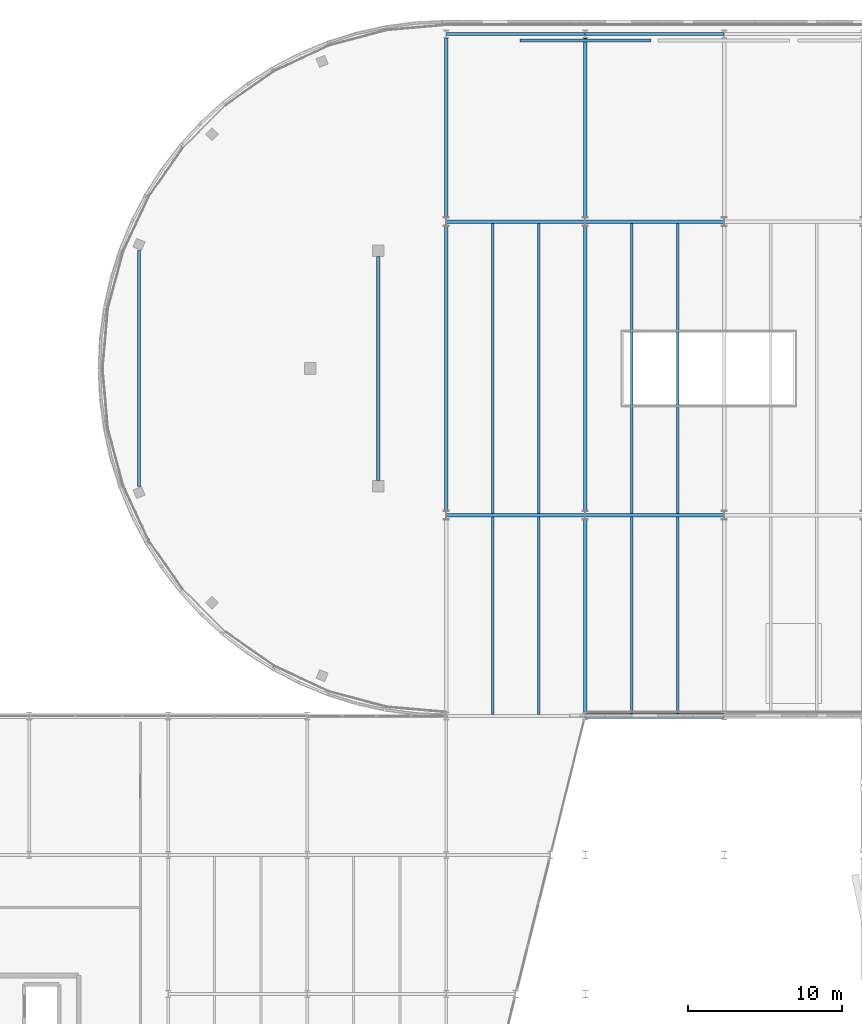
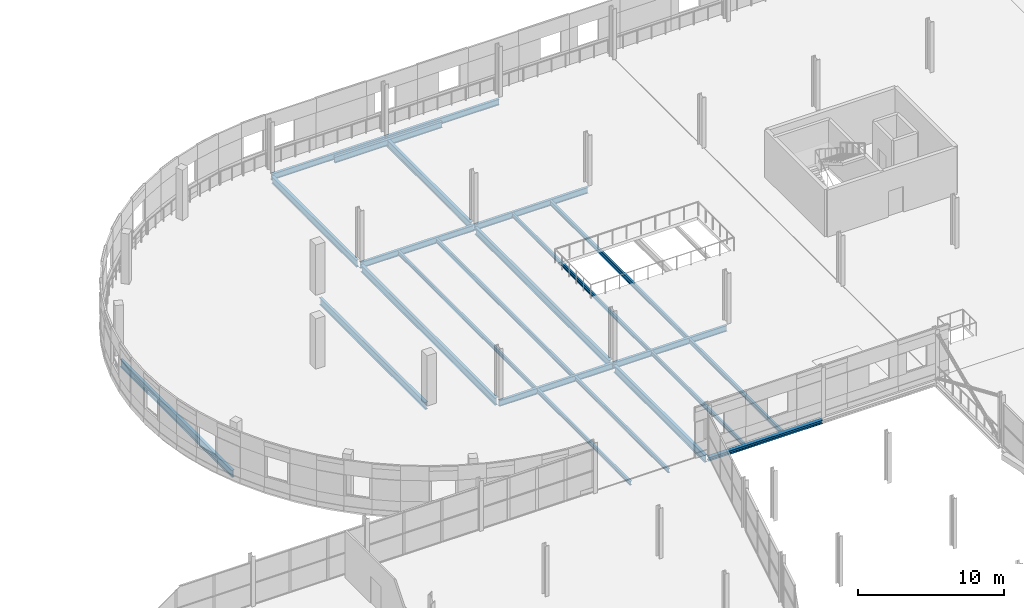
# One storey, part 74 of 132: 23 beams.
"""IFC4 building model written with IfcOpenShell, lengths in metres."""

from ifc_helpers import new_model, si_unit, direction, frame, origin, origin_2d, place, context, subcontext, project, spatial, i_section, extrude, material, material_profile, profile_set, type_object, element, save


model = new_model("IFC4")

# Units and contexts
model_context = context("Model", 3, precision=1e-05, world=origin(), true_north=direction((0.0, 1.0)))
body_context = subcontext(model_context, "Body", "Model", "MODEL_VIEW")
ifc_project = project(units=[si_unit("LENGTHUNIT", "METRE"), si_unit("AREAUNIT", "SQUARE_METRE"), si_unit("VOLUMEUNIT", "CUBIC_METRE"), si_unit("PLANEANGLEUNIT", "RADIAN"), si_unit("MASSUNIT", "GRAM", prefix="KILO")], contexts=[model_context])

# Site, building, storey
site_placement = place(None, origin())
site = spatial("IfcSite", under=ifc_project, at=site_placement, CompositionType="ELEMENT")
building_placement = place(site_placement, origin())
building = spatial("IfcBuilding", under=site, at=building_placement, Name="Deido Ridge Mobility Hub", CompositionType="ELEMENT")
storey_placement = place(building_placement, frame((0.0, 0.0, 8.39990234375)))
storey = spatial("IfcBuildingStorey", under=building, at=storey_placement, Name="L02", CompositionType="ELEMENT", Elevation=8.39990234375)

# Beams
ifc_material = material(Name="Steel S355J2 EN 10025-2", Category="steel")
ifc_material_profile_1 = material_profile(ifc_material, i_section(OverallWidth=0.199951171875, OverallDepth=0.5, WebThickness=0.01025390625, FlangeThickness=0.01611328125, FilletRadius=0.02099609375, at=origin_2d()), Name="IPE 500")
ifc_profile_set_1 = profile_set([ifc_material_profile_1], Name="Steel S355J2 EN 10025-2")
beam_type_1 = type_object("IfcBeamType", Name="BM-IPE500", PredefinedType="BEAM", material=ifc_profile_set_1)
for number, where, z_axis, x_axis, name in (
    (1, (45.0078125, 94.0, -0.5048828125), (1.0, 0.0, 0.0), (0.0, 1.0, 0.0), "Floor beam B3"),
    (2, (54.0078125, 94.0, -0.5048828125), (1.0, 0.0, 0.0), (0.0, 1.0, 0.0), "Floor beam B3"),
    (3, (45.0078125, 113.0, -0.5048828125), (1.0, 0.0, 0.0), (0.0, 1.0, 0.0), "Floor beam B3"),
    (4, (54.0078125, 113.0, -0.5048828125), (1.0, 0.0, 0.0), (0.0, 1.0, 0.0), "Floor beam B3"),
):
    element("IfcBeam", number, at=place(storey_placement, frame(where, z_axis=z_axis, x_axis=x_axis)), inside=storey, type_object=beam_type_1, Name=name, PredefinedType="BEAM", context=body_context, shape_type="SweptSolid", body=[
        extrude(i_section(OverallWidth=0.199951171875, OverallDepth=0.5, WebThickness=0.01025390625, FlangeThickness=0.01611328125, FilletRadius=0.02099609375, at=origin_2d()), origin(), (0.0, 0.0, 1.0), 8.984375),
    ])
for number, where, z_axis, x_axis, name in (
    (5, (45.007080078125, 125.14990234375, -0.5048828125), (1.0, 0.0, 0.0), (0.0, 1.0, 0.0), "Floor beam B3"),
    (6, (54.007080078125, 125.14990234375, -0.5048828125), (1.0, 0.0, 0.0), (0.0, 1.0, 0.0), "Floor beam B3"),
):
    element("IfcBeam", number, at=place(storey_placement, frame(where, z_axis=z_axis, x_axis=x_axis)), inside=storey, type_object=beam_type_1, Name=name, PredefinedType="BEAM", context=body_context, shape_type="SweptSolid", body=[
        extrude(i_section(OverallWidth=0.199951171875, OverallDepth=0.5, WebThickness=0.01025390625, FlangeThickness=0.01611328125, FilletRadius=0.02099609375, at=origin_2d()), origin(), (0.0, 0.0, 1.0), 8.98583984375),
    ])
beam_1_placement = place(storey_placement, frame((49.77490234375, 124.75, -0.5048828125), z_axis=(1.0, 0.0, 0.0), x_axis=(0.0, 1.0, 0.0)))
element("IfcBeam", 7, at=beam_1_placement, inside=storey, type_object=beam_type_1, Name="Floor beam B3", PredefinedType="BEAM", context=body_context, shape_type="SweptSolid", body=[
    extrude(i_section(OverallWidth=0.199951171875, OverallDepth=0.5, WebThickness=0.01025390625, FlangeThickness=0.01611328125, FilletRadius=0.02099609375, at=origin_2d()), origin(), (0.0, 0.0, 1.0), 8.5),
])
ifc_material_profile_2 = material_profile(ifc_material, i_section(OverallWidth=0.219970703125, OverallDepth=0.60009765625, WebThickness=0.011962890625, FlangeThickness=0.01904296875, FilletRadius=0.02392578125, at=origin_2d()), Name="IPE 600")
ifc_profile_set_2 = profile_set([ifc_material_profile_2], Name="Steel S355J2 EN 10025-2")
beam_type_2 = type_object("IfcBeamType", Name="BM-IPE600", PredefinedType="BEAM", material=ifc_profile_set_2)
beam_2_placement = place(storey_placement, frame((25.110107421875, 95.8505859375, -0.554931640625), z_axis=(0.0, 1.0, 0.0), x_axis=(-1.0, 0.0, 0.0)))
element("IfcBeam", 8, at=beam_2_placement, inside=storey, type_object=beam_type_2, Name="Floor beam B1", PredefinedType="BEAM", context=body_context, shape_type="SweptSolid", body=[
    extrude(i_section(OverallWidth=0.219970703125, OverallDepth=0.60009765625, WebThickness=0.011962890625, FlangeThickness=0.01904296875, FilletRadius=0.02392578125, at=origin_2d()), origin(), (0.0, 0.0, 1.0), 15.298828125),
])
beam_3_placement = place(storey_placement, frame((40.60009765625, 96.2548828125, -0.554931640625), z_axis=(0.0, 1.0, 0.0), x_axis=(-1.0, 0.0, 0.0)))
element("IfcBeam", 9, at=beam_3_placement, inside=storey, type_object=beam_type_2, Name="Floor beam B1", PredefinedType="BEAM", context=body_context, shape_type="SweptSolid", body=[
    extrude(i_section(OverallWidth=0.219970703125, OverallDepth=0.60009765625, WebThickness=0.011962890625, FlangeThickness=0.01904296875, FilletRadius=0.02392578125, at=origin_2d()), origin(), (0.0, 0.0, 1.0), 14.490234375),
])
beam_4_placement = place(storey_placement, frame((45.0, 94.300048828125, -0.554931640625), z_axis=(0.0, 1.0, 0.0), x_axis=(-1.0, 0.0, 0.0)))
element("IfcBeam", 10, at=beam_4_placement, inside=storey, type_object=beam_type_2, Name="Floor beam B1", PredefinedType="BEAM", context=body_context, shape_type="SweptSolid", body=[
    extrude(i_section(OverallWidth=0.219970703125, OverallDepth=0.60009765625, WebThickness=0.011962890625, FlangeThickness=0.01904296875, FilletRadius=0.02392578125, at=origin_2d()), origin(), (0.0, 0.0, 1.0), 18.39990234375),
])
beam_5_placement = place(storey_placement, frame((45.0, 113.300048828125, -0.554931640625), z_axis=(0.0, 1.0, 0.0), x_axis=(-1.0, 0.0, 0.0)))
element("IfcBeam", 11, at=beam_5_placement, inside=storey, type_object=beam_type_2, Name="Floor beam B1", PredefinedType="BEAM", context=body_context, shape_type="SweptSolid", body=[
    extrude(i_section(OverallWidth=0.219970703125, OverallDepth=0.60009765625, WebThickness=0.011962890625, FlangeThickness=0.01904296875, FilletRadius=0.02392578125, at=origin_2d()), origin(), (0.0, 0.0, 1.0), 11.599853515625),
])
beam_6_placement = place(storey_placement, frame((54.0, 81.25, -0.554931640625), z_axis=(0.0, 1.0, 0.0), x_axis=(-1.0, 0.0, 0.0)))
element("IfcBeam", 12, at=beam_6_placement, inside=storey, type_object=beam_type_2, Name="Floor beam B1", PredefinedType="BEAM", context=body_context, shape_type="SweptSolid", body=[
    extrude(i_section(OverallWidth=0.219970703125, OverallDepth=0.60009765625, WebThickness=0.011962890625, FlangeThickness=0.01904296875, FilletRadius=0.02392578125, at=origin_2d()), origin(), (0.0, 0.0, 1.0), 12.449951171875),
])
beam_7_placement = place(storey_placement, frame((54.0, 94.300048828125, -0.554931640625), z_axis=(0.0, 1.0, 0.0), x_axis=(-1.0, 0.0, 0.0)))
element("IfcBeam", 13, at=beam_7_placement, inside=storey, type_object=beam_type_2, Name="Floor beam B1", PredefinedType="BEAM", context=body_context, shape_type="SweptSolid", body=[
    extrude(i_section(OverallWidth=0.219970703125, OverallDepth=0.60009765625, WebThickness=0.011962890625, FlangeThickness=0.01904296875, FilletRadius=0.02392578125, at=origin_2d()), origin(), (0.0, 0.0, 1.0), 18.39990234375),
])
beam_8_placement = place(storey_placement, frame((54.0, 113.300048828125, -0.554931640625), z_axis=(0.0, 1.0, 0.0), x_axis=(-1.0, 0.0, 0.0)))
element("IfcBeam", 14, at=beam_8_placement, inside=storey, type_object=beam_type_2, Name="Floor beam B1", PredefinedType="BEAM", context=body_context, shape_type="SweptSolid", body=[
    extrude(i_section(OverallWidth=0.219970703125, OverallDepth=0.60009765625, WebThickness=0.011962890625, FlangeThickness=0.01904296875, FilletRadius=0.02392578125, at=origin_2d()), origin(), (0.0, 0.0, 1.0), 11.599853515625),
])
ifc_material_profile_3 = material_profile(ifc_material, i_section(OverallWidth=0.159912109375, OverallDepth=0.330078125, WebThickness=0.007568359375, FlangeThickness=0.011474609375, FilletRadius=0.01806640625, at=origin_2d()), Name="IPE 330")
ifc_profile_set_3 = profile_set([ifc_material_profile_3], Name="Steel S355J2 EN 10025-2")
beam_type_3 = type_object("IfcBeamType", Name="JST-IPE330", PredefinedType="JOIST", material=ifc_profile_set_3)
beam_9_placement = place(storey_placement, frame((48.0, 81.10009765625, -0.419921875), z_axis=(0.0, 1.0, 0.0), x_axis=(-1.0, 0.0, 0.0)))
element("IfcBeam", 15, at=beam_9_placement, inside=storey, type_object=beam_type_3, Name="Composite joist J2", PredefinedType="JOIST", context=body_context, shape_type="SweptSolid", body=[
    extrude(i_section(OverallWidth=0.159912109375, OverallDepth=0.330078125, WebThickness=0.007568359375, FlangeThickness=0.011474609375, FilletRadius=0.01806640625, at=origin_2d()), origin(), (0.0, 0.0, 1.0), 12.7998046875),
])
beam_10_placement = place(storey_placement, frame((57.0, 81.14990234375, -0.419921875), z_axis=(0.0, 1.0, 0.0), x_axis=(-1.0, 0.0, 0.0)))
element("IfcBeam", 16, at=beam_10_placement, inside=storey, type_object=beam_type_3, Name="Composite joist J2", PredefinedType="JOIST", context=body_context, shape_type="SweptSolid", body=[
    extrude(i_section(OverallWidth=0.159912109375, OverallDepth=0.330078125, WebThickness=0.007568359375, FlangeThickness=0.011474609375, FilletRadius=0.01806640625, at=origin_2d()), origin(), (0.0, 0.0, 1.0), 12.75),
])
for number, where, z_axis, x_axis, name in (
    (17, (48.0, 94.10009765625, -0.419921875), (0.0, 1.0, 0.0), (-1.0, 0.0, 0.0), "Composite joist J2"),
    (18, (57.0, 94.10009765625, -0.419921875), (0.0, 1.0, 0.0), (-1.0, 0.0, 0.0), "Composite joist J2"),
):
    element("IfcBeam", number, at=place(storey_placement, frame(where, z_axis=z_axis, x_axis=x_axis)), inside=storey, type_object=beam_type_3, Name=name, PredefinedType="JOIST", context=body_context, shape_type="SweptSolid", body=[
        extrude(i_section(OverallWidth=0.159912109375, OverallDepth=0.330078125, WebThickness=0.007568359375, FlangeThickness=0.011474609375, FilletRadius=0.01806640625, at=origin_2d()), origin(), (0.0, 0.0, 1.0), 18.7998046875),
    ])
ifc_material_profile_4 = material_profile(ifc_material, i_section(OverallWidth=0.169921875, OverallDepth=0.360107421875, WebThickness=0.008056640625, FlangeThickness=0.0126953125, FilletRadius=0.01806640625, at=origin_2d()), Name="IPE 360")
ifc_profile_set_4 = profile_set([ifc_material_profile_4], Name="Steel S355J2 EN 10025-2")
beam_type_4 = type_object("IfcBeamType", Name="JST-IPE360", PredefinedType="JOIST", material=ifc_profile_set_4)
beam_11_placement = place(storey_placement, frame((51.0, 81.10009765625, -0.434814453125), z_axis=(0.0, 1.0, 0.0), x_axis=(-1.0, 0.0, 0.0)))
element("IfcBeam", 19, at=beam_11_placement, inside=storey, type_object=beam_type_4, Name="Composite joist J1", PredefinedType="JOIST", context=body_context, shape_type="SweptSolid", body=[
    extrude(i_section(OverallWidth=0.169921875, OverallDepth=0.360107421875, WebThickness=0.008056640625, FlangeThickness=0.0126953125, FilletRadius=0.01806640625, at=origin_2d()), origin(), (0.0, 0.0, 1.0), 12.7998046875),
])
beam_12_placement = place(storey_placement, frame((60.0, 81.14990234375, -0.434814453125), z_axis=(0.0, 1.0, 0.0), x_axis=(-1.0, 0.0, 0.0)))
element("IfcBeam", 20, at=beam_12_placement, inside=storey, type_object=beam_type_4, Name="Composite joist J1", PredefinedType="JOIST", context=body_context, shape_type="SweptSolid", body=[
    extrude(i_section(OverallWidth=0.169921875, OverallDepth=0.360107421875, WebThickness=0.008056640625, FlangeThickness=0.0126953125, FilletRadius=0.01806640625, at=origin_2d()), origin(), (0.0, 0.0, 1.0), 12.75),
])
for number, where, z_axis, x_axis, name in (
    (21, (51.0, 94.10009765625, -0.434814453125), (0.0, 1.0, 0.0), (-1.0, 0.0, 0.0), "Composite joist J1"),
    (22, (60.0, 94.10009765625, -0.434814453125), (0.0, 1.0, 0.0), (-1.0, 0.0, 0.0), "Composite joist J1"),
):
    element("IfcBeam", number, at=place(storey_placement, frame(where, z_axis=z_axis, x_axis=x_axis)), inside=storey, type_object=beam_type_4, Name=name, PredefinedType="JOIST", context=body_context, shape_type="SweptSolid", body=[
        extrude(i_section(OverallWidth=0.169921875, OverallDepth=0.360107421875, WebThickness=0.008056640625, FlangeThickness=0.0126953125, FilletRadius=0.01806640625, at=origin_2d()), origin(), (0.0, 0.0, 1.0), 18.7998046875),
    ])
ifc_material_profile_5 = material_profile(ifc_material, i_section(OverallWidth=0.300048828125, OverallDepth=0.300048828125, WebThickness=0.010986328125, FlangeThickness=0.01904296875, FilletRadius=0.027099609375, at=origin_2d()), Name="HEB 300")
ifc_profile_set_5 = profile_set([ifc_material_profile_5], Name="Steel S355J2 EN 10025-2")
beam_type_5 = type_object("IfcBeamType", Name="SPD-HEB300", PredefinedType="SPANDREL", material=ifc_profile_set_5)
beam_13_placement = place(storey_placement, frame((54.007080078125, 81.0, -0.40478515625), z_axis=(1.0, 0.0, 0.0), x_axis=(0.0, 1.0, 0.0)))
element("IfcBeam", 23, at=beam_13_placement, inside=storey, type_object=beam_type_5, Name="Floor beam SP1", PredefinedType="SPANDREL", context=body_context, shape_type="SweptSolid", body=[
    extrude(i_section(OverallWidth=0.300048828125, OverallDepth=0.300048828125, WebThickness=0.010986328125, FlangeThickness=0.01904296875, FilletRadius=0.027099609375, at=origin_2d()), origin(), (0.0, 0.0, 1.0), 8.98583984375),
])

save(model, "model.ifc")
